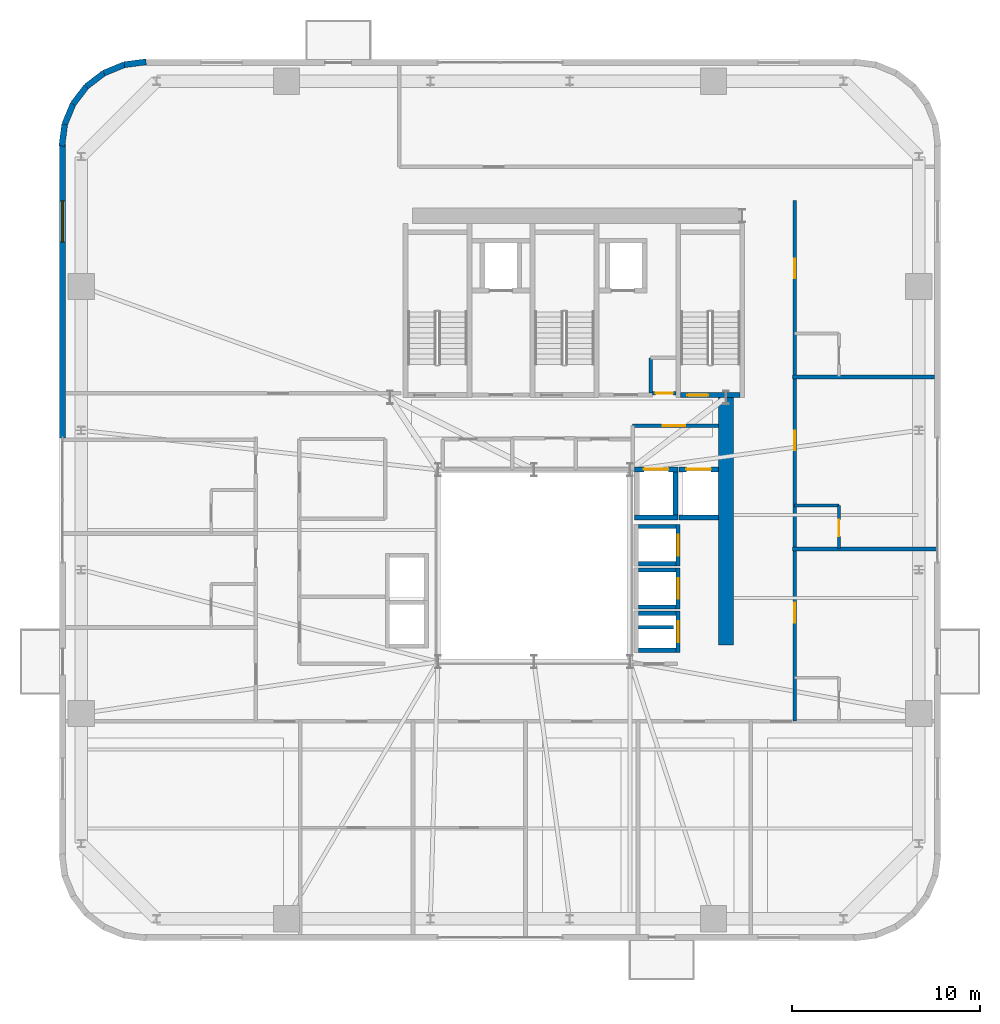
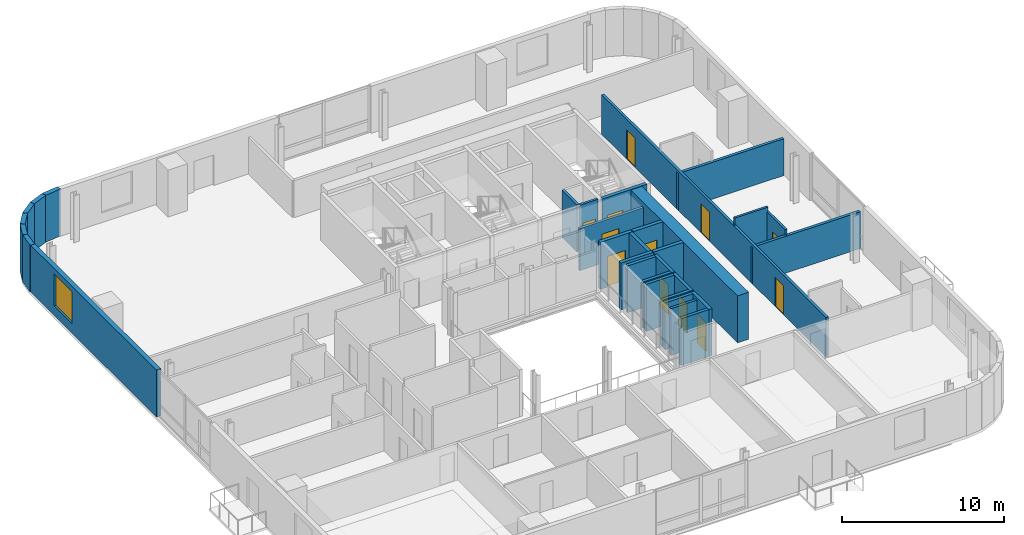
# One storey, part 10 of 15: 32 walls, 12 doors, 1 window, 13 openings.
"""IFC4 building model written with IfcOpenShell, lengths in metres."""

from ifc_helpers import new_model, si_unit, direction, frame, frame_2d, origin, place, context, subcontext, project, spatial, rectangle, extrude, source, transform, mapped, material, layer, layer_set, type_object, element, fill, save


model = new_model("IFC4")

# Units and contexts
model_context = context("Model", 3, precision=1e-05, world=origin(), true_north=direction((0.0, 1.0)))
body_context = subcontext(model_context, "Body", "Model", "MODEL_VIEW")
ifc_project = project(units=[si_unit("LENGTHUNIT", "METRE"), si_unit("AREAUNIT", "SQUARE_METRE"), si_unit("VOLUMEUNIT", "CUBIC_METRE"), si_unit("PLANEANGLEUNIT", "RADIAN"), si_unit("MASSUNIT", "GRAM", prefix="KILO")], contexts=[model_context])

# Site, building, storey
site_placement = place(None, origin())
site = spatial("IfcSite", under=ifc_project, at=site_placement, CompositionType="ELEMENT")
building_placement = place(site_placement, origin())
building = spatial("IfcBuilding", under=site, at=building_placement, Name="Vardaveli Station Tower", CompositionType="ELEMENT")
storey_placement = place(building_placement, frame((0.0, 0.0, 207.300048828125)))
storey = spatial("IfcBuildingStorey", under=building, at=storey_placement, Name="L53", CompositionType="ELEMENT", Elevation=207.300048828125)

# Wall
ifc_material_1 = material(Name="Concrete C50/60", Category="concrete")
ifc_layer_1 = layer(ifc_material_1, 0.800048828125, Name="Concrete C50/60")
ifc_layer_set_1 = layer_set([ifc_layer_1], Name="Concrete C50/60")
wall_type_1 = type_object("IfcWallType", Name="WAL-CORE-800", PredefinedType="SHEAR", material=ifc_layer_set_1)
shared_shape_1 = source(origin(), body_context, "Body", "SweptSolid", [
    extrude(rectangle(XDim=13.14990234375, YDim=0.800048828125, at=frame_2d((6.574951171875, 0.0))), origin(), (0.0, 0.0, 1.0), 3.530029296875),
])
wall_1_placement = place(storey_placement, frame((46.5, 17.5, 0.0), z_axis=(0.0, 0.0, 1.0), x_axis=(0.0, 1.0, 0.0)))
element("IfcWall", 1, at=wall_1_placement, inside=storey, type_object=wall_type_1, Name="SW-L53-EAST2", PredefinedType="SHEAR", context=body_context, shape_type="MappedRepresentation", body=[
    mapped(shared_shape_1, transform((0.0, 0.0, 0.0), scale=1.0)),
])

# Wall, opening, window
ifc_material_2 = material(Name="Precast concrete C45/55", Category="concrete")
ifc_layer_2 = layer(ifc_material_2, 0.320068359375, Name="Precast concrete C45/55")
ifc_layer_set_2 = layer_set([ifc_layer_2], Name="Precast concrete C45/55")
wall_type_2 = type_object("IfcWallType", Name="WAL-EXT-STONE-320", PredefinedType="SOLIDWALL", material=ifc_layer_set_2)
shared_shape_2 = source(origin(), body_context, "Body", "SweptSolid", [
    extrude(rectangle(XDim=15.60009765625, YDim=0.320068359375, at=frame_2d((7.800048828125, 0.0))), origin(), (0.0, 0.0, 1.0), 3.530029296875),
])
wall_2_placement = place(storey_placement, frame((11.260009765625, 44.10009765625, 0.0), z_axis=(0.0, 0.0, 1.0), x_axis=(0.0, -1.0, 0.0)))
wall_2 = element("IfcWall", 2, at=wall_2_placement, inside=storey, type_object=wall_type_2, Name="EW-L53-W1", PredefinedType="SOLIDWALL", context=body_context, shape_type="MappedRepresentation", body=[
    mapped(shared_shape_2, transform((0.0, 0.0, 0.0), scale=1.0)),
])
shared_shape_3 = source(origin(), body_context, "Body", "SweptSolid", [
    extrude(rectangle(XDim=2.199951171875, YDim=2.39990234375, at=frame_2d((1.10009765625, 1.199951171875))), frame((0.0, 0.169921875, 0.0), z_axis=(0.0, -1.0, 0.0), x_axis=(1.0, 0.0, 0.0)), (0.0, 0.0, 1.0), 0.340087890625),
])
opening_1_placement = place(wall_2_placement, frame((3.0048828125, 0.0, 0.719970703125)))
opening_1 = element("IfcOpeningElement", 3, at=opening_1_placement, cuts=wall_2, Name="Opening W-03", PredefinedType="OPENING", context=body_context, shape_type="MappedRepresentation", body=[
    mapped(shared_shape_3, transform((0.0, 0.0, 0.0), scale=1.0)),
])
ifc_material_3 = material(Name="Low-E solar-control glass", Category="glass")
window_type = type_object("IfcWindowType", Name="WIN-LOG-2200x2400", PartitioningType="SINGLE_PANEL", PredefinedType="WINDOW", material=ifc_material_3)
shared_shape_4 = source(origin(), body_context, "Body", "SweptSolid", [
    extrude(rectangle(XDim=2.199951171875, YDim=2.39990234375, at=frame_2d((1.10009765625, 1.199951171875))), frame((0.0, 0.030029296875, 0.0), z_axis=(0.0, -1.0, 0.0), x_axis=(1.0, 0.0, 0.0)), (0.0, 0.0, 1.0), 0.06005859375),
])
window_placement = place(opening_1_placement, origin())
window = element("IfcWindow", 4, at=window_placement, inside=storey, type_object=window_type, Name="WN-L53-W1", OverallHeight=2.39990234375, OverallWidth=2.199951171875, PartitioningType="SINGLE_PANEL", PredefinedType="WINDOW", context=body_context, shape_type="MappedRepresentation", body=[
    mapped(shared_shape_4, transform((0.0, 0.0, 0.0), scale=1.0)),
])
fill(opening_1, window)

# Walls
shared_shape_5 = source(origin(), body_context, "Body", "SweptSolid", [
    extrude(rectangle(XDim=1.1689453125, YDim=0.320068359375, at=frame_2d((0.58447265625, 0.0))), origin(), (0.0, 0.0, 1.0), 3.530029296875),
])
wall_3_placement = place(storey_placement, frame((12.53125, 47.1689453125, 0.0), z_axis=(0.0, 0.0, 1.0), x_axis=(-0.608387696831, -0.793639975269, 0.0)))
element("IfcWall", 5, at=wall_3_placement, inside=storey, type_object=wall_type_2, Name="EW-L53-CR4-4", PredefinedType="SOLIDWALL", context=body_context, shape_type="MappedRepresentation", body=[
    mapped(shared_shape_5, transform((0.0, 0.0, 0.0), scale=1.0)),
])
shared_shape_6 = source(origin(), body_context, "Body", "SweptSolid", [
    extrude(rectangle(XDim=1.168701171875, YDim=0.320068359375, at=frame_2d((0.58447265625, 0.0))), origin(), (0.0, 0.0, 1.0), 3.530029296875),
])
wall_4_placement = place(storey_placement, frame((13.458740234375, 47.8798828125, 0.0), z_axis=(0.0, 0.0, 1.0), x_axis=(-0.793663520347, -0.608356981114, 0.0)))
element("IfcWall", 6, at=wall_4_placement, inside=storey, type_object=wall_type_2, Name="EW-L53-CR4-3", PredefinedType="SOLIDWALL", context=body_context, shape_type="MappedRepresentation", body=[
    mapped(shared_shape_6, transform((0.0, 0.0, 0.0), scale=1.0)),
])
shared_shape_7 = source(origin(), body_context, "Body", "SweptSolid", [
    extrude(rectangle(XDim=1.17041015625, YDim=0.320068359375, at=frame_2d((0.585205078125, 0.0))), origin(), (0.0, 0.0, 1.0), 3.530029296875),
])
for number, where, z_axis, x_axis, name in (
    (7, (15.700439453125, 48.4755859375, 0.0), (0.0, 0.0, 1.0), (-0.991735963317, -0.128295670475, 0.0), "EW-L53-CR4-1"),
    (8, (11.37451171875, 45.16015625, 0.0), (0.0, 0.0, 1.0), (-0.128295670475, -0.991735963317, 0.0), "EW-L53-CR4-6"),
):
    element("IfcWall", number, at=place(storey_placement, frame(where, z_axis=z_axis, x_axis=x_axis)), inside=storey, type_object=wall_type_2, Name=name, PredefinedType="SOLIDWALL", context=body_context, shape_type="MappedRepresentation", body=[
        mapped(shared_shape_7, transform((0.0, 0.0, 0.0), scale=1.0)),
    ])
shared_shape_8 = source(origin(), body_context, "Body", "SweptSolid", [
    extrude(rectangle(XDim=1.169189453125, YDim=0.320068359375, at=frame_2d((0.58447265625, 0.0))), origin(), (0.0, 0.0, 1.0), 3.530029296875),
])
for number, where, z_axis, x_axis, name in (
    (9, (14.539794921875, 48.325439453125, 0.0), (0.0, 0.0, 1.0), (-0.924552646638, -0.381054331552, 0.0), "EW-L53-CR4-2"),
    (10, (11.820068359375, 46.2412109375, 0.0), (0.0, 0.0, 1.0), (-0.381054331552, -0.924552646638, 0.0), "EW-L53-CR4-5"),
):
    element("IfcWall", number, at=place(storey_placement, frame(where, z_axis=z_axis, x_axis=x_axis)), inside=storey, type_object=wall_type_2, Name=name, PredefinedType="SOLIDWALL", context=body_context, shape_type="MappedRepresentation", body=[
        mapped(shared_shape_8, transform((0.0, 0.0, 0.0), scale=1.0)),
    ])

# Wall, opening, door
ifc_material_4 = material(Name="Concrete C40/50", Category="concrete")
ifc_layer_3 = layer(ifc_material_4, 0.25, Name="Concrete C40/50")
ifc_layer_set_3 = layer_set([ifc_layer_3], Name="Concrete C40/50")
wall_type_3 = type_object("IfcWallType", Name="WAL-SHAFT-250", PredefinedType="SOLIDWALL", material=ifc_layer_set_3)
shared_shape_9 = source(origin(), body_context, "Body", "SweptSolid", [
    extrude(rectangle(XDim=3.14990234375, YDim=0.25, at=frame_2d((1.574951171875, 0.0))), origin(), (0.0, 0.0, 1.0), 3.550048828125),
])
wall_5_placement = place(storey_placement, frame((44.10009765625, 30.77490234375, 0.0), z_axis=(0.0, 0.0, 1.0), x_axis=(1.0, 0.0, 0.0)))
wall_5 = element("IfcWall", 11, at=wall_5_placement, inside=storey, type_object=wall_type_3, Name="W-L53-ST-3S", PredefinedType="SOLIDWALL", context=body_context, shape_type="MappedRepresentation", body=[
    mapped(shared_shape_9, transform((0.0, 0.0, 0.0), scale=1.0)),
])
shared_shape_10 = source(origin(), body_context, "Body", "SweptSolid", [
    extrude(rectangle(XDim=1.10009765625, YDim=2.199951171875, at=frame_2d((0.550048828125, 1.10009765625))), frame((0.0, 0.135009765625, 0.0), z_axis=(0.0, -1.0, 0.0), x_axis=(1.0, 0.0, 0.0)), (0.0, 0.0, 1.0), 0.27001953125),
])
opening_2_placement = place(wall_5_placement, frame((0.35009765625, 0.0, 0.0)))
opening_2 = element("IfcOpeningElement", 12, at=opening_2_placement, cuts=wall_5, Name="Opening D-04", PredefinedType="OPENING", context=body_context, shape_type="MappedRepresentation", body=[
    mapped(shared_shape_10, transform((0.0, 0.0, 0.0), scale=1.0)),
])
ifc_material_5 = material(Name="Steel smokeproof fire doorset", Category="steel")
door_type_1 = type_object("IfcDoorType", Name="DR-ST-1100x2200", OperationType="NOTDEFINED", PredefinedType="DOOR", material=ifc_material_5)
shared_shape_11 = source(origin(), body_context, "Body", "SweptSolid", [
    extrude(rectangle(XDim=1.10009765625, YDim=2.199951171875, at=frame_2d((0.550048828125, 1.10009765625))), frame((0.0, 0.02490234375, 0.0), z_axis=(0.0, -1.0, 0.0), x_axis=(1.0, 0.0, 0.0)), (0.0, 0.0, 1.0), 0.050048828125),
])
door_1_placement = place(opening_2_placement, origin())
door_1 = element("IfcDoor", 13, at=door_1_placement, inside=storey, type_object=door_type_1, Name="DST-3-L53", OperationType="SINGLE_SWING_LEFT", OverallHeight=2.199951171875, OverallWidth=1.10009765625, PredefinedType="DOOR", context=body_context, shape_type="MappedRepresentation", body=[
    mapped(shared_shape_11, transform((0.0, 0.0, 0.0), scale=1.0)),
])
fill(opening_2, door_1)

# Walls
ifc_layer_4 = layer(ifc_material_4, 0.219970703125, Name="Concrete C40/50")
ifc_layer_set_4 = layer_set([ifc_layer_4], Name="Concrete C40/50")
wall_type_4 = type_object("IfcWallType", Name="WAL-FFLOBBY-220", PredefinedType="SOLIDWALL", material=ifc_layer_set_4)
shared_shape_12 = source(origin(), body_context, "Body", "SweptSolid", [
    extrude(rectangle(XDim=2.0, YDim=0.219970703125, at=frame_2d((1.0, 0.0))), origin(), (0.0, 0.0, 1.0), 3.530029296875),
])
for number, where, z_axis, x_axis, name in (
    (14, (41.85009765625, 21.81494140625, 0.0), (0.0, 0.0, 1.0), (1.0, 0.0, 0.0), "SHW-HL3-01-L53-S"),
    (15, (41.85009765625, 23.784912109375, 0.0), (0.0, 0.0, 1.0), (1.0, 0.0, 0.0), "SHW-HL3-01-L53-N"),
    (16, (41.85009765625, 19.514892578125, 0.0), (0.0, 0.0, 1.0), (1.0, 0.0, 0.0), "SHW-HL3-02-L53-S"),
    (17, (41.85009765625, 21.485107421875, 0.0), (0.0, 0.0, 1.0), (1.0, 0.0, 0.0), "SHW-HL3-02-L53-N"),
    (18, (41.85009765625, 17.215087890625, 0.0), (0.0, 0.0, 1.0), (1.0, 0.0, 0.0), "SHW-HL3-03-L53-S"),
    (19, (41.85009765625, 19.18505859375, 0.0), (0.0, 0.0, 1.0), (1.0, 0.0, 0.0), "SHW-HL3-03-L53-N"),
):
    element("IfcWall", number, at=place(storey_placement, frame(where, z_axis=z_axis, x_axis=x_axis)), inside=storey, type_object=wall_type_4, Name=name, PredefinedType="SOLIDWALL", context=body_context, shape_type="MappedRepresentation", body=[
        mapped(shared_shape_12, transform((0.0, 0.0, 0.0), scale=1.0)),
    ])

# Wall, opening, door
shared_shape_13 = source(origin(), body_context, "Body", "SweptSolid", [
    extrude(rectangle(XDim=2.18994140625, YDim=0.219970703125, at=frame_2d((1.094970703125, 0.0))), origin(), (0.0, 0.0, 1.0), 3.530029296875),
])
wall_6_placement = place(storey_placement, frame((43.9599609375, 21.705078125, 0.0), z_axis=(0.0, 0.0, 1.0), x_axis=(0.0, 1.0, 0.0)))
wall_6 = element("IfcWall", 20, at=wall_6_placement, inside=storey, type_object=wall_type_4, Name="SHW-HL3-01-L53-E", PredefinedType="SOLIDWALL", context=body_context, shape_type="MappedRepresentation", body=[
    mapped(shared_shape_13, transform((0.0, 0.0, 0.0), scale=1.0)),
])
shared_shape_14 = source(origin(), body_context, "Body", "SweptSolid", [
    extrude(rectangle(XDim=1.10009765625, YDim=2.199951171875, at=frame_2d((0.550048828125, 1.10009765625))), frame((0.0, 0.1201171875, 0.0), z_axis=(0.0, -1.0, 0.0), x_axis=(1.0, 0.0, 0.0)), (0.0, 0.0, 1.0), 0.239990234375),
])
opening_3_placement = place(wall_6_placement, frame((0.544921875, 0.0, 0.0)))
opening_3 = element("IfcOpeningElement", 21, at=opening_3_placement, cuts=wall_6, Name="Opening LD-01", PredefinedType="OPENING", context=body_context, shape_type="MappedRepresentation", body=[
    mapped(shared_shape_14, transform((0.0, 0.0, 0.0), scale=1.0)),
])
ifc_material_6 = material(Name="Brushed stainless steel", Category="steel")
door_type_2 = type_object("IfcDoorType", Name="DR-LD-1100x2200", OperationType="DOUBLE_DOOR_SLIDING", PredefinedType="DOOR", material=ifc_material_6)
door_2_placement = place(opening_3_placement, origin())
door_2 = element("IfcDoor", 22, at=door_2_placement, inside=storey, type_object=door_type_2, Name="LD-HL3-01-L53", OperationType="DOUBLE_DOOR_SLIDING", OverallHeight=2.199951171875, OverallWidth=1.10009765625, PredefinedType="DOOR", context=body_context, shape_type="MappedRepresentation", body=[
    mapped(shared_shape_11, transform((0.0, 0.0, 0.0), scale=1.0)),
])
fill(opening_3, door_2)

wall_7_placement = place(storey_placement, frame((43.9599609375, 19.405029296875, 0.0), z_axis=(0.0, 0.0, 1.0), x_axis=(0.0, 1.0, 0.0)))
wall_7 = element("IfcWall", 23, at=wall_7_placement, inside=storey, type_object=wall_type_4, Name="SHW-HL3-02-L53-E", PredefinedType="SOLIDWALL", context=body_context, shape_type="MappedRepresentation", body=[
    mapped(shared_shape_13, transform((0.0, 0.0, 0.0), scale=1.0)),
])
opening_4_placement = place(wall_7_placement, frame((0.544921875, 0.0, 0.0)))
opening_4 = element("IfcOpeningElement", 24, at=opening_4_placement, cuts=wall_7, Name="Opening LD-01", PredefinedType="OPENING", context=body_context, shape_type="MappedRepresentation", body=[
    mapped(shared_shape_14, transform((0.0, 0.0, 0.0), scale=1.0)),
])
door_3_placement = place(opening_4_placement, origin())
door_3 = element("IfcDoor", 25, at=door_3_placement, inside=storey, type_object=door_type_2, Name="LD-HL3-02-L53", OperationType="DOUBLE_DOOR_SLIDING", OverallHeight=2.199951171875, OverallWidth=1.10009765625, PredefinedType="DOOR", context=body_context, shape_type="MappedRepresentation", body=[
    mapped(shared_shape_11, transform((0.0, 0.0, 0.0), scale=1.0)),
])
fill(opening_4, door_3)

wall_8_placement = place(storey_placement, frame((43.9599609375, 17.10498046875, 0.0), z_axis=(0.0, 0.0, 1.0), x_axis=(0.0, 1.0, 0.0)))
wall_8 = element("IfcWall", 26, at=wall_8_placement, inside=storey, type_object=wall_type_4, Name="SHW-HL3-03-L53-E", PredefinedType="SOLIDWALL", context=body_context, shape_type="MappedRepresentation", body=[
    mapped(shared_shape_13, transform((0.0, 0.0, 0.0), scale=1.0)),
])
opening_5_placement = place(wall_8_placement, frame((0.544921875, 0.0, 0.0)))
opening_5 = element("IfcOpeningElement", 27, at=opening_5_placement, cuts=wall_8, Name="Opening LD-01", PredefinedType="OPENING", context=body_context, shape_type="MappedRepresentation", body=[
    mapped(shared_shape_14, transform((0.0, 0.0, 0.0), scale=1.0)),
])
door_4_placement = place(opening_5_placement, origin())
door_4 = element("IfcDoor", 28, at=door_4_placement, inside=storey, type_object=door_type_2, Name="LD-HL3-03-L53", OperationType="DOUBLE_DOOR_SLIDING", OverallHeight=2.199951171875, OverallWidth=1.10009765625, PredefinedType="DOOR", context=body_context, shape_type="MappedRepresentation", body=[
    mapped(shared_shape_11, transform((0.0, 0.0, 0.0), scale=1.0)),
])
fill(opening_5, door_4)

# Wall
shared_shape_15 = source(origin(), body_context, "Body", "SweptSolid", [
    extrude(rectangle(XDim=2.300048828125, YDim=0.25, at=frame_2d((1.14990234375, 0.0))), origin(), (0.0, 0.0, 1.0), 3.530029296875),
])
wall_9_placement = place(storey_placement, frame((41.64990234375, 24.27490234375, 0.0), z_axis=(0.0, 0.0, 1.0), x_axis=(1.0, 0.0, 0.0)))
element("IfcWall", 29, at=wall_9_placement, inside=storey, type_object=wall_type_3, Name="SHW-SRV-01-L53-S", PredefinedType="SOLIDWALL", context=body_context, shape_type="MappedRepresentation", body=[
    mapped(shared_shape_15, transform((0.0, 0.0, 0.0), scale=1.0)),
])

# Wall, opening, door
wall_10_placement = place(storey_placement, frame((41.64990234375, 26.824951171875, 0.0), z_axis=(0.0, 0.0, 1.0), x_axis=(1.0, 0.0, 0.0)))
wall_10 = element("IfcWall", 30, at=wall_10_placement, inside=storey, type_object=wall_type_3, Name="SHW-SRV-01-L53-N", PredefinedType="SOLIDWALL", context=body_context, shape_type="MappedRepresentation", body=[
    mapped(shared_shape_15, transform((0.0, 0.0, 0.0), scale=1.0)),
])
shared_shape_16 = source(origin(), body_context, "Body", "SweptSolid", [
    extrude(rectangle(XDim=1.300048828125, YDim=2.300048828125, at=frame_2d((0.64990234375, 1.14990234375))), frame((0.0, 0.135009765625, 0.0), z_axis=(0.0, -1.0, 0.0), x_axis=(1.0, 0.0, 0.0)), (0.0, 0.0, 1.0), 0.27001953125),
])
opening_6_placement = place(wall_10_placement, frame((0.5, 0.0, 0.0)))
opening_6 = element("IfcOpeningElement", 31, at=opening_6_placement, cuts=wall_10, Name="Opening LD-03", PredefinedType="OPENING", context=body_context, shape_type="MappedRepresentation", body=[
    mapped(shared_shape_16, transform((0.0, 0.0, 0.0), scale=1.0)),
])
door_type_3 = type_object("IfcDoorType", Name="DR-LD-1300x2300", OperationType="DOUBLE_DOOR_SLIDING", PredefinedType="DOOR", material=ifc_material_6)
shared_shape_17 = source(origin(), body_context, "Body", "SweptSolid", [
    extrude(rectangle(XDim=1.300048828125, YDim=2.300048828125, at=frame_2d((0.64990234375, 1.14990234375))), frame((0.0, 0.02490234375, 0.0), z_axis=(0.0, -1.0, 0.0), x_axis=(1.0, 0.0, 0.0)), (0.0, 0.0, 1.0), 0.050048828125),
])
door_5_placement = place(opening_6_placement, origin())
door_5 = element("IfcDoor", 32, at=door_5_placement, inside=storey, type_object=door_type_3, Name="LD-SRV-01-L53", OperationType="DOUBLE_DOOR_SLIDING", OverallHeight=2.300048828125, OverallWidth=1.300048828125, PredefinedType="DOOR", context=body_context, shape_type="MappedRepresentation", body=[
    mapped(shared_shape_17, transform((0.0, 0.0, 0.0), scale=1.0)),
])
fill(opening_6, door_5)

# Walls
wall_11_placement = place(storey_placement, frame((43.824951171875, 24.39990234375, 0.0), z_axis=(0.0, 0.0, 1.0), x_axis=(0.0, 1.0, 0.0)))
element("IfcWall", 33, at=wall_11_placement, inside=storey, type_object=wall_type_3, Name="SHW-SRV-01-L53-E", PredefinedType="SOLIDWALL", context=body_context, shape_type="MappedRepresentation", body=[
    mapped(shared_shape_15, transform((0.0, 0.0, 0.0), scale=1.0)),
])
shared_shape_18 = source(origin(), body_context, "Body", "SweptSolid", [
    extrude(rectangle(XDim=2.10009765625, YDim=0.25, at=frame_2d((1.050048828125, 0.0))), origin(), (0.0, 0.0, 1.0), 3.530029296875),
])
wall_12_placement = place(storey_placement, frame((44.0, 24.27490234375, 0.0), z_axis=(0.0, 0.0, 1.0), x_axis=(1.0, 0.0, 0.0)))
element("IfcWall", 34, at=wall_12_placement, inside=storey, type_object=wall_type_3, Name="SHW-SRV-02-L53-S", PredefinedType="SOLIDWALL", context=body_context, shape_type="MappedRepresentation", body=[
    mapped(shared_shape_18, transform((0.0, 0.0, 0.0), scale=1.0)),
])

# Wall, opening, door
wall_13_placement = place(storey_placement, frame((44.0, 26.824951171875, 0.0), z_axis=(0.0, 0.0, 1.0), x_axis=(1.0, 0.0, 0.0)))
wall_13 = element("IfcWall", 35, at=wall_13_placement, inside=storey, type_object=wall_type_3, Name="SHW-SRV-02-L53-N", PredefinedType="SOLIDWALL", context=body_context, shape_type="MappedRepresentation", body=[
    mapped(shared_shape_18, transform((0.0, 0.0, 0.0), scale=1.0)),
])
opening_7_placement = place(wall_13_placement, frame((0.39990234375, 0.0, 0.0)))
opening_7 = element("IfcOpeningElement", 36, at=opening_7_placement, cuts=wall_13, Name="Opening LD-03", PredefinedType="OPENING", context=body_context, shape_type="MappedRepresentation", body=[
    mapped(shared_shape_16, transform((0.0, 0.0, 0.0), scale=1.0)),
])
door_6_placement = place(opening_7_placement, origin())
door_6 = element("IfcDoor", 37, at=door_6_placement, inside=storey, type_object=door_type_3, Name="LD-SRV-02-L53", OperationType="DOUBLE_DOOR_SLIDING", OverallHeight=2.300048828125, OverallWidth=1.300048828125, PredefinedType="DOOR", context=body_context, shape_type="MappedRepresentation", body=[
    mapped(shared_shape_17, transform((0.0, 0.0, 0.0), scale=1.0)),
])
fill(opening_7, door_6)

ifc_material_7 = material(Name="Fire-rated gypsum stud partition")
ifc_layer_5 = layer(ifc_material_7, 0.179931640625, Name="Fire-rated gypsum stud partition")
ifc_layer_set_5 = layer_set([ifc_layer_5], Name="Fire-rated gypsum stud partition")
wall_type_5 = type_object("IfcWallType", Name="WAL-CORR-180", PredefinedType="PARTITIONING", material=ifc_layer_set_5)
shared_shape_19 = source(origin(), body_context, "Body", "SweptSolid", [
    extrude(rectangle(XDim=4.5478515625, YDim=0.179931640625, at=frame_2d((2.27392578125, 0.0))), origin(), (0.0, 0.0, 1.0), 3.161865234375),
])
wall_14_placement = place(storey_placement, frame((41.550048828125, 29.14990234375, 0.0), z_axis=(0.0, 0.0, 1.0), x_axis=(1.0, 0.0, 0.0)))
wall_14 = element("IfcWall", 38, at=wall_14_placement, inside=storey, type_object=wall_type_5, Name="W-L53-SVFN", PredefinedType="PARTITIONING", context=body_context, shape_type="MappedRepresentation", body=[
    mapped(shared_shape_19, transform((0.0, 0.0, 0.0), scale=1.0)),
])
shared_shape_20 = source(origin(), body_context, "Body", "SweptSolid", [
    extrude(rectangle(XDim=1.199951171875, YDim=2.199951171875, at=frame_2d((0.60009765625, 1.10009765625))), frame((0.0, 0.10009765625, 0.0), z_axis=(0.0, -1.0, 0.0), x_axis=(1.0, 0.0, 0.0)), (0.0, 0.0, 1.0), 0.199951171875),
])
opening_8_placement = place(wall_14_placement, frame((1.60009765625, 0.0, 0.0)))
opening_8 = element("IfcOpeningElement", 39, at=opening_8_placement, cuts=wall_14, Name="Opening D-03", PredefinedType="OPENING", context=body_context, shape_type="MappedRepresentation", body=[
    mapped(shared_shape_20, transform((0.0, 0.0, 0.0), scale=1.0)),
])
door_type_4 = type_object("IfcDoorType", Name="DR-FFL-1200x2200", OperationType="NOTDEFINED", PredefinedType="DOOR", material=ifc_material_5)
shared_shape_21 = source(origin(), body_context, "Body", "SweptSolid", [
    extrude(rectangle(XDim=1.199951171875, YDim=2.199951171875, at=frame_2d((0.60009765625, 1.10009765625))), frame((0.0, 0.02490234375, 0.0), z_axis=(0.0, -1.0, 0.0), x_axis=(1.0, 0.0, 0.0)), (0.0, 0.0, 1.0), 0.050048828125),
])
door_7_placement = place(opening_8_placement, origin())
door_7 = element("IfcDoor", 40, at=door_7_placement, inside=storey, type_object=door_type_4, Name="D-L53-SVF", OperationType="SINGLE_SWING_LEFT", OverallHeight=2.199951171875, OverallWidth=1.199951171875, PredefinedType="DOOR", context=body_context, shape_type="MappedRepresentation", body=[
    mapped(shared_shape_21, transform((0.0, 0.0, 0.0), scale=1.0)),
])
fill(opening_8, door_7)

shared_shape_22 = source(origin(), body_context, "Body", "SweptSolid", [
    extrude(rectangle(XDim=1.247802734375, YDim=0.179931640625, at=frame_2d((0.6240234375, 0.0))), origin(), (0.0, 0.0, 1.0), 3.530029296875),
])
wall_15_placement = place(storey_placement, frame((42.60009765625, 30.8798828125, 0.0), z_axis=(0.0, 0.0, 1.0), x_axis=(1.0, 0.0, 0.0)))
wall_15 = element("IfcWall", 41, at=wall_15_placement, inside=storey, type_object=wall_type_5, Name="W-L53-CBS2A-S", PredefinedType="PARTITIONING", context=body_context, shape_type="MappedRepresentation", body=[
    mapped(shared_shape_22, transform((0.0, 0.0, 0.0), scale=1.0)),
])
shared_shape_23 = source(origin(), body_context, "Body", "SweptSolid", [
    extrude(rectangle(XDim=0.919921875, YDim=2.10009765625, at=frame_2d((0.4599609375, 1.050048828125))), frame((0.0, 0.10009765625, 0.0), z_axis=(0.0, -1.0, 0.0), x_axis=(1.0, 0.0, 0.0)), (0.0, 0.0, 1.0), 0.199951171875),
])
opening_9_placement = place(wall_15_placement, frame((0.1640625, 0.0, 0.0)))
opening_9 = element("IfcOpeningElement", 42, at=opening_9_placement, cuts=wall_15, Name="Opening D-07", PredefinedType="OPENING", context=body_context, shape_type="MappedRepresentation", body=[
    mapped(shared_shape_23, transform((0.0, 0.0, 0.0), scale=1.0)),
])
ifc_material_8 = material(Name="Moisture-resistant hardwood door", Category="wood")
door_type_5 = type_object("IfcDoorType", Name="DR-WC-920x2100", OperationType="NOTDEFINED", PredefinedType="DOOR", material=ifc_material_8)
shared_shape_24 = source(origin(), body_context, "Body", "SweptSolid", [
    extrude(rectangle(XDim=0.919921875, YDim=2.10009765625, at=frame_2d((0.4599609375, 1.050048828125))), frame((0.0, 0.02490234375, 0.0), z_axis=(0.0, -1.0, 0.0), x_axis=(1.0, 0.0, 0.0)), (0.0, 0.0, 1.0), 0.050048828125),
])
door_8_placement = place(opening_9_placement, origin())
door_8 = element("IfcDoor", 43, at=door_8_placement, inside=storey, type_object=door_type_5, Name="D-L53-CBS1", OperationType="SINGLE_SWING_LEFT", OverallHeight=2.10009765625, OverallWidth=0.919921875, PredefinedType="DOOR", context=body_context, shape_type="MappedRepresentation", body=[
    mapped(shared_shape_24, transform((0.0, 0.0, 0.0), scale=1.0)),
])
fill(opening_9, door_8)

# Walls
ifc_material_9 = material(Name="Acoustic twin-stud gypsum partition")
ifc_layer_6 = layer(ifc_material_9, 0.199951171875, Name="Acoustic twin-stud gypsum partition")
ifc_layer_set_6 = layer_set([ifc_layer_6], Name="Acoustic twin-stud gypsum partition")
wall_type_6 = type_object("IfcWallType", Name="WAL-PARTY-200", PredefinedType="PARTITIONING", material=ifc_layer_set_6)
shared_shape_25 = source(origin(), body_context, "Body", "SweptSolid", [
    extrude(rectangle(XDim=7.52783203125, YDim=0.199951171875, at=frame_2d((3.763916015625, 0.0))), origin(), (0.0, 0.0, 1.0), 2.77197265625),
])
wall_16_placement = place(storey_placement, frame((50.050048828125, 31.737060546875, 0.0), z_axis=(0.0, 0.0, 1.0), x_axis=(1.0, 0.0, 0.0)))
element("IfcWall", 44, at=wall_16_placement, inside=storey, type_object=wall_type_6, Name="W-L53-PE2", PredefinedType="PARTITIONING", context=body_context, shape_type="MappedRepresentation", body=[
    mapped(shared_shape_25, transform((0.0, 0.0, 0.0), scale=1.0)),
])
shared_shape_26 = source(origin(), body_context, "Body", "SweptSolid", [
    extrude(rectangle(XDim=7.719970703125, YDim=0.199951171875, at=frame_2d((3.85986328125, 0.0))), origin(), (0.0, 0.0, 1.0), 2.77197265625),
])
wall_17_placement = place(storey_placement, frame((50.050048828125, 22.593017578125, 0.0), z_axis=(0.0, 0.0, 1.0), x_axis=(1.0, 0.0, 0.0)))
element("IfcWall", 45, at=wall_17_placement, inside=storey, type_object=wall_type_6, Name="W-L53-PE1", PredefinedType="PARTITIONING", context=body_context, shape_type="MappedRepresentation", body=[
    mapped(shared_shape_26, transform((0.0, 0.0, 0.0), scale=1.0)),
])
ifc_material_10 = material(Name="Moisture-resistant stud partition")
ifc_layer_7 = layer(ifc_material_10, 0.14990234375, Name="Moisture-resistant stud partition")
ifc_layer_set_7 = layer_set([ifc_layer_7], Name="Moisture-resistant stud partition")
wall_type_7 = type_object("IfcWallType", Name="WAL-WET-150", PredefinedType="PARTITIONING", material=ifc_layer_set_7)
shared_shape_27 = source(origin(), body_context, "Body", "SweptSolid", [
    extrude(rectangle(XDim=2.360107421875, YDim=0.14990234375, at=frame_2d((1.18017578125, 0.0))), origin(), (0.0, 0.0, 1.0), 3.530029296875),
])
wall_18_placement = place(storey_placement, frame((50.14990234375, 24.903076171875, 0.0), z_axis=(0.0, 0.0, 1.0), x_axis=(1.0, 0.0, 0.0)))
element("IfcWall", 46, at=wall_18_placement, inside=storey, type_object=wall_type_7, Name="W-L53-BE2-N", PredefinedType="PARTITIONING", context=body_context, shape_type="MappedRepresentation", body=[
    mapped(shared_shape_27, transform((0.0, 0.0, 0.0), scale=1.0)),
])
shared_shape_28 = source(origin(), body_context, "Body", "SweptSolid", [
    extrude(rectangle(XDim=1.85791015625, YDim=0.179931640625, at=frame_2d((0.928955078125, 0.0))), origin(), (0.0, 0.0, 1.0), 3.530029296875),
])
for number, where, z_axis, x_axis, name in (
    (47, (41.85205078125, 18.449951171875, 0.0), (0.0, 0.0, 1.0), (1.0, 0.0, 0.0), "W-L53-ATE-N"),
    (48, (42.5, 30.89208984375, 0.0), (0.0, 0.0, 1.0), (0.0, 1.0, 0.0), "W-L53-CBS2A-W"),
):
    element("IfcWall", number, at=place(storey_placement, frame(where, z_axis=z_axis, x_axis=x_axis)), inside=storey, type_object=wall_type_5, Name=name, PredefinedType="PARTITIONING", context=body_context, shape_type="MappedRepresentation", body=[
        mapped(shared_shape_28, transform((0.0, 0.0, 0.0), scale=1.0)),
    ])

# Wall, openings, doors
shared_shape_29 = source(origin(), body_context, "Body", "SweptSolid", [
    extrude(rectangle(XDim=27.650146484375, YDim=0.179931640625, at=frame_2d((13.8251953125, 0.0))), origin(), (0.0, 0.0, 1.0), 2.971923828125),
])
wall_19_placement = place(storey_placement, frame((50.14990234375, 13.449951171875, 0.0), z_axis=(0.0, 0.0, 1.0), x_axis=(0.0, 1.0, 0.0)))
wall_19 = element("IfcWall", 49, at=wall_19_placement, inside=storey, type_object=wall_type_5, Name="W-L53-CE", PredefinedType="PARTITIONING", context=body_context, shape_type="MappedRepresentation", body=[
    mapped(shared_shape_29, transform((0.0, 0.0, 0.0), scale=1.0)),
])
shared_shape_30 = source(origin(), body_context, "Body", "SweptSolid", [
    extrude(rectangle(XDim=1.050048828125, YDim=2.199951171875, at=frame_2d((0.52490234375, 1.10009765625))), frame((0.0, 0.10009765625, 0.0), z_axis=(0.0, -1.0, 0.0), x_axis=(1.0, 0.0, 0.0)), (0.0, 0.0, 1.0), 0.199951171875),
])
opening_10_placement = place(wall_19_placement, frame((5.23681640625, 0.0, 0.0)))
opening_10 = element("IfcOpeningElement", 50, at=opening_10_placement, cuts=wall_19, Name="Opening D-05", PredefinedType="OPENING", context=body_context, shape_type="MappedRepresentation", body=[
    mapped(shared_shape_30, transform((0.0, 0.0, 0.0), scale=1.0)),
])
opening_11_placement = place(wall_19_placement, frame((14.3798828125, 0.0, 0.0)))
opening_11 = element("IfcOpeningElement", 51, at=opening_11_placement, cuts=wall_19, Name="Opening D-05", PredefinedType="OPENING", context=body_context, shape_type="MappedRepresentation", body=[
    mapped(shared_shape_30, transform((0.0, 0.0, 0.0), scale=1.0)),
])
opening_12_placement = place(wall_19_placement, frame((23.523193359375, 0.0, 0.0)))
opening_12 = element("IfcOpeningElement", 52, at=opening_12_placement, cuts=wall_19, Name="Opening D-05", PredefinedType="OPENING", context=body_context, shape_type="MappedRepresentation", body=[
    mapped(shared_shape_30, transform((0.0, 0.0, 0.0), scale=1.0)),
])
ifc_material_11 = material(Name="Walnut veneer acoustic fire door")
door_type_6 = type_object("IfcDoorType", Name="DR-SUITE-1050x2200", OperationType="NOTDEFINED", PredefinedType="DOOR", material=ifc_material_11)
shared_shape_31 = source(origin(), body_context, "Body", "SweptSolid", [
    extrude(rectangle(XDim=1.050048828125, YDim=2.199951171875, at=frame_2d((0.52490234375, 1.10009765625))), frame((0.0, 0.02490234375, 0.0), z_axis=(0.0, -1.0, 0.0), x_axis=(1.0, 0.0, 0.0)), (0.0, 0.0, 1.0), 0.050048828125),
])
door_9_placement = place(opening_10_placement, origin())
door_9 = element("IfcDoor", 53, at=door_9_placement, inside=storey, type_object=door_type_6, Name="D-L53-GE1", OperationType="SINGLE_SWING_RIGHT", OverallHeight=2.199951171875, OverallWidth=1.050048828125, PredefinedType="DOOR", context=body_context, shape_type="MappedRepresentation", body=[
    mapped(shared_shape_31, transform((0.0, 0.0, 0.0), scale=1.0)),
])
fill(opening_10, door_9)
door_10_placement = place(opening_11_placement, origin())
door_10 = element("IfcDoor", 54, at=door_10_placement, inside=storey, type_object=door_type_6, Name="D-L53-GE2", OperationType="SINGLE_SWING_LEFT", OverallHeight=2.199951171875, OverallWidth=1.050048828125, PredefinedType="DOOR", context=body_context, shape_type="MappedRepresentation", body=[
    mapped(shared_shape_31, transform((0.0, 0.0, 0.0), scale=1.0)),
])
fill(opening_11, door_10)
door_11_placement = place(opening_12_placement, origin())
door_11 = element("IfcDoor", 55, at=door_11_placement, inside=storey, type_object=door_type_6, Name="D-L53-GE3", OperationType="SINGLE_SWING_RIGHT", OverallHeight=2.199951171875, OverallWidth=1.050048828125, PredefinedType="DOOR", context=body_context, shape_type="MappedRepresentation", body=[
    mapped(shared_shape_31, transform((0.0, 0.0, 0.0), scale=1.0)),
])
fill(opening_12, door_11)

# Wall, opening, door
shared_shape_32 = source(origin(), body_context, "Body", "SweptSolid", [
    extrude(rectangle(XDim=2.2900390625, YDim=0.14990234375, at=frame_2d((1.14501953125, 0.0))), origin(), (0.0, 0.0, 1.0), 3.19189453125),
])
wall_20_placement = place(storey_placement, frame((52.510009765625, 22.613037109375, 0.0), z_axis=(0.0, 0.0, 1.0), x_axis=(0.0, 1.0, 0.0)))
wall_20 = element("IfcWall", 56, at=wall_20_placement, inside=storey, type_object=wall_type_7, Name="W-L53-BE2-E", PredefinedType="PARTITIONING", context=body_context, shape_type="MappedRepresentation", body=[
    mapped(shared_shape_32, transform((0.0, 0.0, 0.0), scale=1.0)),
])
shared_shape_33 = source(origin(), body_context, "Body", "SweptSolid", [
    extrude(rectangle(XDim=0.89990234375, YDim=2.10009765625, at=frame_2d((0.449951171875, 1.050048828125))), frame((0.0, 0.0849609375, 0.0), z_axis=(0.0, -1.0, 0.0), x_axis=(1.0, 0.0, 0.0)), (0.0, 0.0, 1.0), 0.169921875),
])
opening_13_placement = place(wall_20_placement, frame((0.64990234375, 0.0, 0.0)))
opening_13 = element("IfcOpeningElement", 57, at=opening_13_placement, cuts=wall_20, Name="Opening D-08", PredefinedType="OPENING", context=body_context, shape_type="MappedRepresentation", body=[
    mapped(shared_shape_33, transform((0.0, 0.0, 0.0), scale=1.0)),
])
ifc_material_12 = material(Name="Moisture-resistant oak door")
door_type_7 = type_object("IfcDoorType", Name="DR-BATH-900x2100", OperationType="NOTDEFINED", PredefinedType="DOOR", material=ifc_material_12)
shared_shape_34 = source(origin(), body_context, "Body", "SweptSolid", [
    extrude(rectangle(XDim=0.89990234375, YDim=2.10009765625, at=frame_2d((0.449951171875, 1.050048828125))), frame((0.0, 0.02490234375, 0.0), z_axis=(0.0, -1.0, 0.0), x_axis=(1.0, 0.0, 0.0)), (0.0, 0.0, 1.0), 0.050048828125),
])
door_12_placement = place(opening_13_placement, origin())
door_12 = element("IfcDoor", 58, at=door_12_placement, inside=storey, type_object=door_type_7, Name="D-L53-BE2", OperationType="SINGLE_SWING_LEFT", OverallHeight=2.10009765625, OverallWidth=0.89990234375, PredefinedType="DOOR", context=body_context, shape_type="MappedRepresentation", body=[
    mapped(shared_shape_34, transform((0.0, 0.0, 0.0), scale=1.0)),
])
fill(opening_13, door_12)

save(model, "model.ifc")
